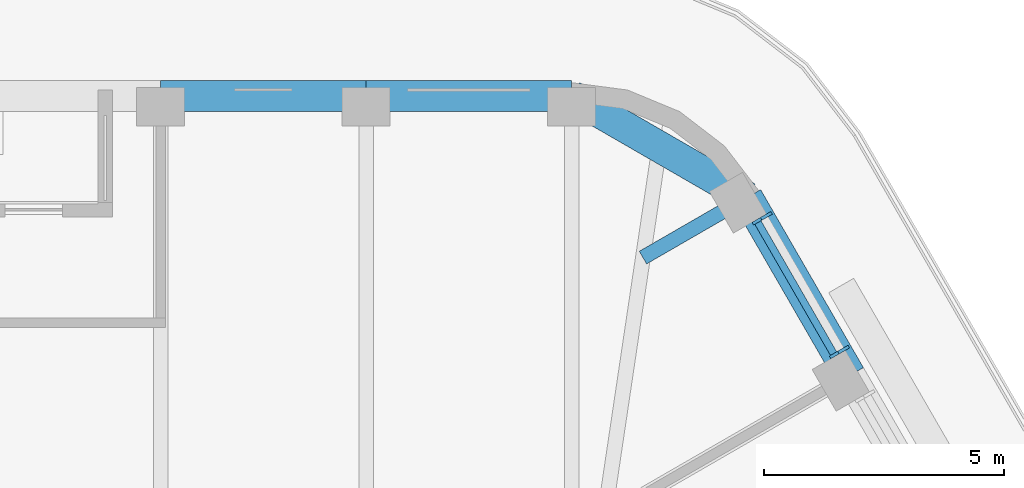
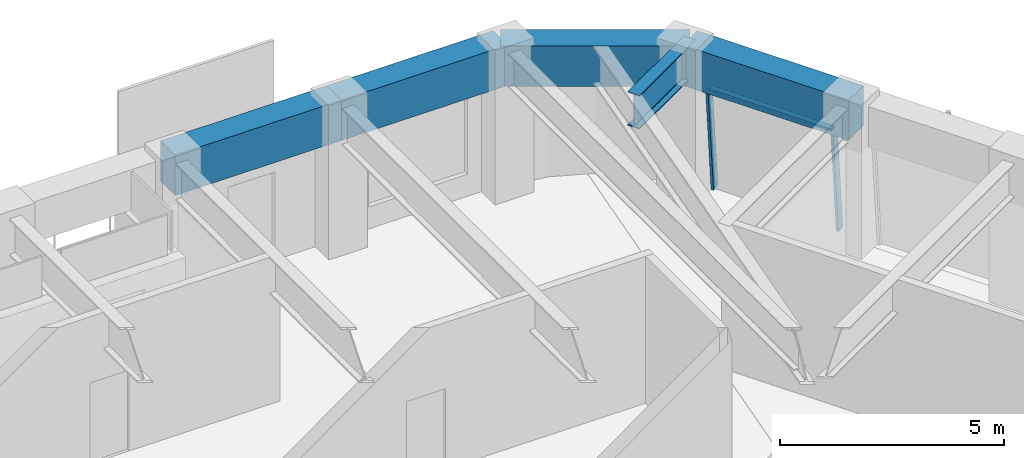
# One storey, part 11 of 19: 5 beams, 3 members, 1 element without a shape of its own.
"""IFC4 building model written with IfcOpenShell, lengths in metres."""

from ifc_helpers import new_model, si_unit, direction, frame, origin, origin_2d, place, context, subcontext, project, spatial, rectangle, i_section, extrude, material, material_profile, profile_set, type_object, element, aggregate, save


model = new_model("IFC4")

# Units and contexts
model_context = context("Model", 3, precision=1e-05, world=origin(), true_north=direction((0.0, 1.0)))
body_context = subcontext(model_context, "Body", "Model", "MODEL_VIEW")
ifc_project = project(units=[si_unit("LENGTHUNIT", "METRE"), si_unit("AREAUNIT", "SQUARE_METRE"), si_unit("VOLUMEUNIT", "CUBIC_METRE"), si_unit("PLANEANGLEUNIT", "RADIAN"), si_unit("MASSUNIT", "GRAM", prefix="KILO")], contexts=[model_context])

# Site, building, storey
site_placement = place(None, origin())
site = spatial("IfcSite", under=ifc_project, at=site_placement, CompositionType="ELEMENT")
building_placement = place(site_placement, origin())
building = spatial("IfcBuilding", under=site, at=building_placement, Name="Tarfa Lantern Tower", CompositionType="ELEMENT")
storey_placement = place(building_placement, frame((0.0, 0.0, 340.89990234375)))
storey = spatial("IfcBuildingStorey", under=building, at=storey_placement, Name="L77", CompositionType="ELEMENT", Elevation=340.89990234375)

# Curtain wall, members
ifc_material_1 = material(Name="Aluminium framed curtain wall", Category="aluminium")
curtain_wall_type = type_object("IfcCurtainWallType", Name="CW4 CANTED GLAZING EXECUTIVE ZONE 2900", PredefinedType="USERDEFINED", material=ifc_material_1)
curtain_wall_placement = place(storey_placement, origin())
curtain_wall = element("IfcCurtainWall", 1, at=curtain_wall_placement, inside=storey, type_object=curtain_wall_type, Name="CW4 NE L77", ObjectType="CURTAIN WALL", PredefinedType="USERDEFINED")
ifc_material_2 = material(Name="Aluminium mullion", Category="aluminium")
ifc_material_profile_1 = material_profile(ifc_material_2, rectangle(XDim=0.06494140625, YDim=0.199951171875, at=origin_2d()), Name="AL MULLION 65x200")
ifc_profile_set_1 = profile_set([ifc_material_profile_1], Name="Aluminium mullion")
member_type_1 = type_object("IfcMemberType", Name="CWM1 MULLION 65x200", PredefinedType="MULLION", material=ifc_profile_set_1)
member_1_placement = place(storey_placement, frame((18.53125, 21.202880859375, 0.0), z_axis=(-0.074393603155, -0.042941967097, 0.996303959277), x_axis=(0.499919672301, -0.866071776036, 0.0)))
member_1 = element("IfcMember", 2, at=member_1_placement, type_object=member_type_1, Name="CW4 mullion 1", PredefinedType="MULLION", context=body_context, shape_type="SweptSolid", body=[
    extrude(rectangle(XDim=0.06494140625, YDim=0.199951171875, at=origin_2d()), origin(), (0.0, 0.0, 1.0), 2.910888671875),
])
member_2_placement = place(storey_placement, frame((16.9228515625, 23.98876953125, 0.0), z_axis=(-0.074393603155, -0.042941967097, 0.996303959277), x_axis=(0.499919672301, -0.866071776036, 0.0)))
member_2 = element("IfcMember", 3, at=member_2_placement, type_object=member_type_1, Name="CW4 mullion 2", PredefinedType="MULLION", context=body_context, shape_type="SweptSolid", body=[
    extrude(rectangle(XDim=0.06494140625, YDim=0.199951171875, at=origin_2d()), origin(), (0.0, 0.0, 1.0), 2.910888671875),
])
ifc_material_3 = material(Name="Aluminium transom", Category="aluminium")
ifc_material_profile_2 = material_profile(ifc_material_3, rectangle(XDim=0.14990234375, YDim=0.06494140625, at=origin_2d()), Name="AL TRANSOM 150x65")
ifc_profile_set_2 = profile_set([ifc_material_profile_2], Name="Aluminium transom")
member_type_2 = type_object("IfcMemberType", Name="CWT1 TRANSOM 150x65", PredefinedType="USERDEFINED", material=ifc_profile_set_2)
member_3_placement = place(storey_placement, frame((18.301025390625, 21.107421875, 2.86767578125), z_axis=(-0.500037562771, 0.866003715822, 0.0), x_axis=(-0.866003715822, -0.500037562771, 0.0)))
member_3 = element("IfcMember", 4, at=member_3_placement, type_object=member_type_2, Name="CW4 transom 1.2", ObjectType="TRANSOM", PredefinedType="USERDEFINED", context=body_context, shape_type="SweptSolid", body=[
    extrude(rectangle(XDim=0.14990234375, YDim=0.06494140625, at=origin_2d()), origin(), (0.0, 0.0, 1.0), 3.152099609375),
])
aggregate(curtain_wall, [member_1, member_2, member_3])

# Beams
ifc_material_4 = material(Name="Concrete C80/95", Category="concrete")
ifc_material_profile_3 = material_profile(ifc_material_4, rectangle(XDim=0.64990234375, YDim=1.10009765625, at=origin_2d()), Name="RC 650x1100")
ifc_profile_set_3 = profile_set([ifc_material_profile_3], Name="Concrete C80/95")
beam_type_1 = type_object("IfcBeamType", Name="EB4 RC 650x1100", PredefinedType="SPANDREL", material=ifc_profile_set_3)
beam_1_placement = place(storey_placement, frame((18.6416015625, 20.651611328125, 3.4501953125), z_axis=(-0.499959351497, 0.866048870937, 0.0), x_axis=(-0.866048870937, -0.499959351497, 0.0)))
element("IfcBeam", 5, at=beam_1_placement, inside=storey, type_object=beam_type_1, Name="Edge beam NE5", PredefinedType="SPANDREL", context=body_context, shape_type="SweptSolid", body=[
    extrude(rectangle(XDim=0.64990234375, YDim=1.10009765625, at=origin_2d()), origin(), (0.0, 0.0, 1.0), 4.281982421875),
])
beam_2_placement = place(storey_placement, frame((16.500732421875, 24.360107421875, 3.4501953125), z_axis=(-0.866048788483, 0.499959494327, 0.0), x_axis=(-0.499959494327, -0.866048788483, 0.0)))
element("IfcBeam", 6, at=beam_2_placement, inside=storey, type_object=beam_type_1, Name="Edge beam NE6", PredefinedType="SPANDREL", context=body_context, shape_type="SweptSolid", body=[
    extrude(rectangle(XDim=0.64990234375, YDim=1.10009765625, at=origin_2d()), origin(), (0.0, 0.0, 1.0), 4.219970703125),
])
for number, where, z_axis, x_axis, name in (
    (7, (12.845947265625, 26.469970703125, 3.4501953125), (-1.0, 0.0, 0.0), (0.0, -1.0, 0.0), "Edge beam N0"),
    (8, (8.56396484375, 26.469970703125, 3.4501953125), (-1.0, 0.0, 0.0), (0.0, -1.0, 0.0), "Edge beam N1"),
):
    element("IfcBeam", number, at=place(storey_placement, frame(where, z_axis=z_axis, x_axis=x_axis)), inside=storey, type_object=beam_type_1, Name=name, PredefinedType="SPANDREL", context=body_context, shape_type="SweptSolid", body=[
        extrude(rectangle(XDim=0.64990234375, YDim=1.10009765625, at=origin_2d()), origin(), (0.0, 0.0, 1.0), 4.281982421875),
    ])
ifc_material_5 = material(Name="Steel S460M", Category="steel")
ifc_material_profile_4 = material_profile(ifc_material_5, i_section(OverallWidth=0.305419921875, OverallDepth=0.91845703125, WebThickness=0.017333984375, FlangeThickness=0.02783203125, FilletRadius=0.01904296875, at=origin_2d()), Name="UB914x305x253")
ifc_profile_set_4 = profile_set([ifc_material_profile_4], Name="Steel S460M")
beam_type_2 = type_object("IfcBeamType", Name="UB914x305x253", PredefinedType="BEAM", material=ifc_profile_set_4)
beam_3_placement = place(storey_placement, frame((16.500732421875, 24.360107421875, 3.541015625), z_axis=(-0.865992557167, -0.500056887695, 0.0), x_axis=(0.500056887695, -0.865992557167, 0.0)))
element("IfcBeam", 9, at=beam_3_placement, inside=storey, type_object=beam_type_2, Name="Floor beam NE6", PredefinedType="BEAM", context=body_context, shape_type="SweptSolid", body=[
    extrude(i_section(OverallWidth=0.305419921875, OverallDepth=0.91845703125, WebThickness=0.017333984375, FlangeThickness=0.02783203125, FilletRadius=0.01904296875, at=origin_2d()), origin(), (0.0, 0.0, 1.0), 2.506591796875),
])

save(model, "model.ifc")
